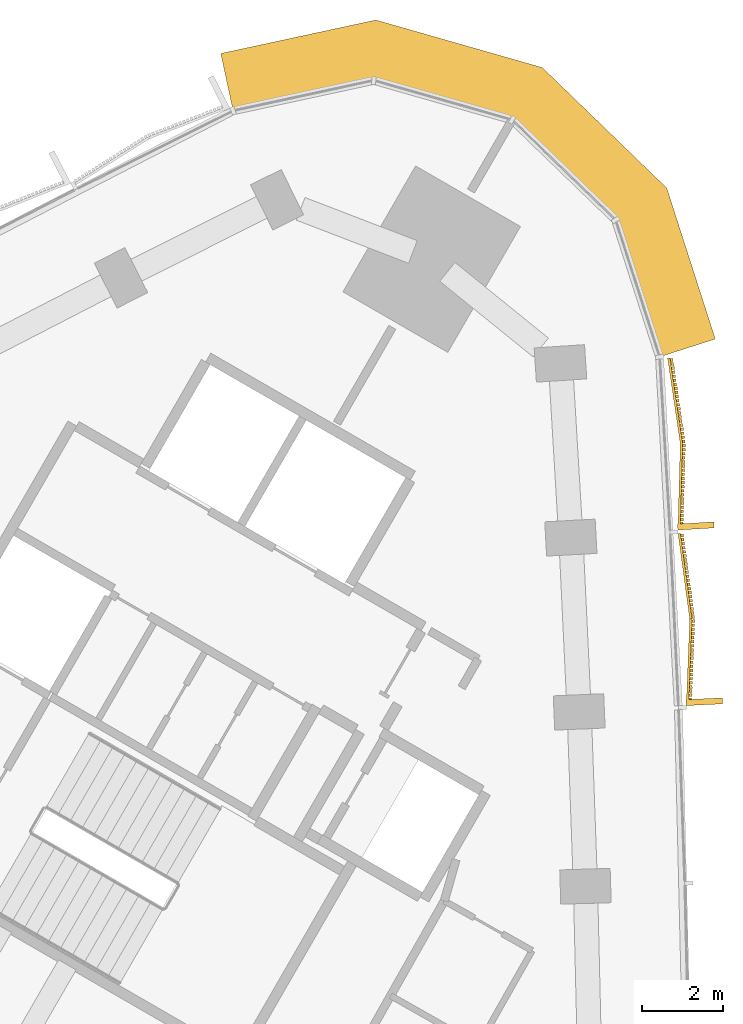
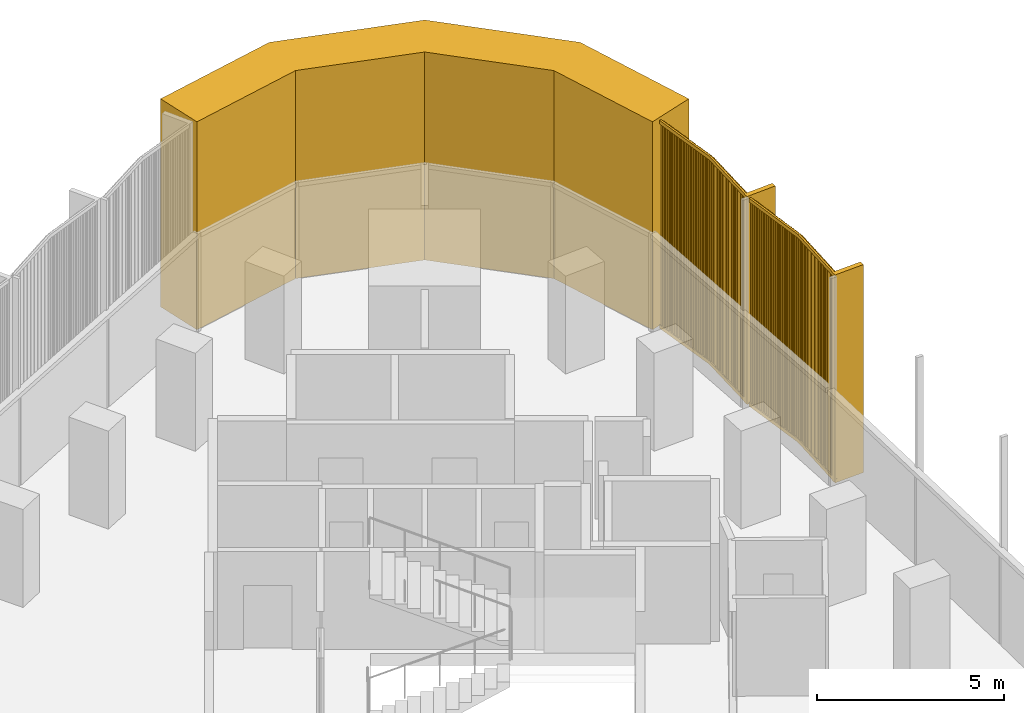
# One storey, part 14 of 14: 3 coverings.
"""IFC4 building model written with IfcOpenShell, lengths in metres."""

import ifcopenshell
import ifcopenshell.guid

model = None  # the IFC model being written
_history = None  # IfcOwnerHistory: only IFC2X3 demands one
_inside = {}  # id of a spatial element -> (the spatial element, [elements in it])
_under = {}  # id of a project, library or spatial element -> (it, [spatial elements below it])
_declared = {}  # id of a project -> (the project, [libraries it declares])
_typed = {}  # id of a type object -> (the type object, [elements of that type])
_made_of = {}  # id of a material, layer set ... -> (it, [elements and type objects made of it])


def new_model(schema):
    """Start an empty IFC model of exactly this schema.

    Asked for "IFC4X3", IfcOpenShell would pick the latest addendum, in which some entities
    have other attributes; the version numbers below select the first issue.
    IFC2X3 requires an IfcOwnerHistory on every rooted entity: one is made here for all.
    """
    global model, _history
    if schema == "IFC4X3":
        model = ifcopenshell.file(schema_version=(4, 3, 0, 0))
    else:
        model = ifcopenshell.file(schema=schema)
    _inside.clear()
    _under.clear()
    _declared.clear()
    _typed.clear()
    _made_of.clear()
    _history = None
    if model.schema == "IFC2X3":
        org = make("IfcOrganization", Name="unknown")
        user = make(
            "IfcPersonAndOrganization",
            ThePerson=make("IfcPerson", FamilyName="unknown"),
            TheOrganization=org,
        )
        app = make(
            "IfcApplication",
            ApplicationDeveloper=org,
            Version="unknown",
            ApplicationFullName="unknown",
            ApplicationIdentifier="unknown",
        )
        _history = make(
            "IfcOwnerHistory",
            OwningUser=user,
            OwningApplication=app,
            ChangeAction="ADDED",
            CreationDate=0,
        )
    return model


def make(cls, **values):
    """One entity of the class cls with the attributes given. An attribute that is None is left unset."""
    return model.create_entity(
        cls, **{name: value for name, value in values.items() if value is not None}
    )


def rooted(cls, **values):
    """An entity with a GlobalId (a new one), such as an element, a storey or a relation."""
    return make(cls, GlobalId=ifcopenshell.guid.new(), OwnerHistory=_history, **values)


def si_unit(unit_type, name, prefix=None):
    """IfcSIUnit, for example si_unit("LENGTHUNIT", "METRE", prefix="MILLI")."""
    return make("IfcSIUnit", UnitType=unit_type, Prefix=prefix, Name=name)


def assignment(units):
    """IfcUnitAssignment: the units of a project."""
    return None if units is None else make("IfcUnitAssignment", Units=units)


def point(xyz):
    """IfcCartesianPoint."""
    return None if xyz is None else make("IfcCartesianPoint", Coordinates=xyz)


def direction(xyz):
    """IfcDirection."""
    return None if xyz is None else make("IfcDirection", DirectionRatios=xyz)


def frame(location, z_axis=None, x_axis=None):
    """IfcAxis2Placement3D, a coordinate frame: its origin and axes. An axis left out is left unset."""
    return make(
        "IfcAxis2Placement3D",
        Location=point(location),
        Axis=direction(z_axis),
        RefDirection=direction(x_axis),
    )


def frame_2d(location, x_axis=None):
    """IfcAxis2Placement2D, a coordinate frame in the plane: its origin and x axis."""
    return make(
        "IfcAxis2Placement2D", Location=point(location), RefDirection=direction(x_axis)
    )


def origin():
    """The frame at (0, 0, 0) with its axes left unset."""
    return frame((0.0, 0.0, 0.0))


def place(relative_to, where):
    """IfcLocalPlacement: puts the frame where relative to a parent placement (None: the world)."""
    return make(
        "IfcLocalPlacement", PlacementRelTo=relative_to, RelativePlacement=where
    )


def context(
    kind, dimensions, precision=None, world=None, true_north=None, identifier=None
):
    """IfcGeometricRepresentationContext, for example the 3D "Model" context."""
    return make(
        "IfcGeometricRepresentationContext",
        ContextIdentifier=identifier,
        ContextType=kind,
        CoordinateSpaceDimension=dimensions,
        Precision=precision,
        WorldCoordinateSystem=world,
        TrueNorth=true_north,
    )


def subcontext(parent, identifier, kind, view, scale=None):
    """IfcGeometricRepresentationSubContext, for example "Body" below "Model"."""
    return make(
        "IfcGeometricRepresentationSubContext",
        ContextIdentifier=identifier,
        ContextType=kind,
        ParentContext=parent,
        TargetScale=scale,
        TargetView=view,
    )


def project(units=None, contexts=None):
    """IfcProject with its units and contexts."""
    return rooted(
        "IfcProject",
        Name="project",
        RepresentationContexts=contexts,
        UnitsInContext=assignment(units),
    )


def spatial(cls, under=None, at=None, **own):
    """A site, building, storey or space (cls), placed at a placement, below another one or the project."""
    s = rooted(cls, ObjectPlacement=at, **own)
    if under is not None:
        _under.setdefault(under.id(), (under, []))[1].append(s)
    return s


def polyline(points):
    """IfcPolyline through the points."""
    return make("IfcPolyline", Points=[point(p) for p in points])


def profile(cls, at=None, kind="AREA", **sizes):
    """A parametric profile (cls). Its sizes go by their IFC names, for example OverallWidth=200.0."""
    return make(cls, ProfileType=kind, Position=at, **sizes)


def rectangle(**sizes):
    """IfcRectangleProfileDef."""
    return profile("IfcRectangleProfileDef", **sizes)


def outline(outer, holes=None, kind="AREA"):
    """IfcArbitraryClosedProfileDef: a profile drawn as a closed curve; with holes, ...WithVoids."""
    if holes is None:
        return make("IfcArbitraryClosedProfileDef", ProfileType=kind, OuterCurve=outer)
    return make(
        "IfcArbitraryProfileDefWithVoids",
        ProfileType=kind,
        OuterCurve=outer,
        InnerCurves=holes,
    )


def extrude(swept, where, along, depth):
    """IfcExtrudedAreaSolid: the profile swept, set in the frame where, extruded along a direction by depth."""
    return make(
        "IfcExtrudedAreaSolid",
        SweptArea=swept,
        Position=where,
        ExtrudedDirection=direction(along),
        Depth=depth,
    )


def shape(context_of_items, identifier, shape_type, items):
    """IfcShapeRepresentation: the items that make up one representation, for example the "Body"."""
    return make(
        "IfcShapeRepresentation",
        ContextOfItems=context_of_items,
        RepresentationIdentifier=identifier,
        RepresentationType=shape_type,
        Items=items,
    )


def source(mapping_origin, context_of_items, identifier, shape_type, items):
    """IfcRepresentationMap: a shape defined once, which mapped items show again and again."""
    return make(
        "IfcRepresentationMap",
        MappingOrigin=mapping_origin,
        MappedRepresentation=shape(context_of_items, identifier, shape_type, items),
    )


def transform(
    local_origin,
    x_axis=None,
    y_axis=None,
    z_axis=None,
    scale=None,
    scale2=None,
    scale3=None,
    uniform=True,
):
    """IfcCartesianTransformationOperator3D, or its non-uniform kind. x_axis, y_axis, z_axis: its Axis1, 2, 3."""
    if uniform:
        return make(
            "IfcCartesianTransformationOperator3D",
            Axis1=direction(x_axis),
            Axis2=direction(y_axis),
            LocalOrigin=point(local_origin),
            Scale=scale,
            Axis3=direction(z_axis),
        )
    return make(
        "IfcCartesianTransformationOperator3DnonUniform",
        Axis1=direction(x_axis),
        Axis2=direction(y_axis),
        LocalOrigin=point(local_origin),
        Scale=scale,
        Axis3=direction(z_axis),
        Scale2=scale2,
        Scale3=scale3,
    )


def mapped(mapping_source, mapping_target):
    """IfcMappedItem: shows the shape of a source again, moved by a transform."""
    return make(
        "IfcMappedItem", MappingSource=mapping_source, MappingTarget=mapping_target
    )


def material(Name=None, Category=None):
    """IfcMaterial."""
    return make("IfcMaterial", Name=Name, Category=Category)


def layer(
    of_material, thickness, ventilated=None, Name=None, Category=None, Priority=None
):
    """IfcMaterialLayer: one layer of a wall or slab, of a material (None: an air gap)."""
    return make(
        "IfcMaterialLayer",
        Material=of_material,
        LayerThickness=thickness,
        IsVentilated=ventilated,
        Name=Name,
        Category=Category,
        Priority=Priority,
    )


def layer_set(layers, Name=None):
    """IfcMaterialLayerSet."""
    return make("IfcMaterialLayerSet", MaterialLayers=layers, LayerSetName=Name)


def made_of(thing, what):
    """Note that an element or type object is made of a material, layer set ...; save() writes the relation."""
    if what is not None:
        _made_of.setdefault(what.id(), (what, []))[1].append(thing)
    return thing


def type_object(cls, material=None, **own):
    """A type object (cls), such as IfcWallType, which elements share."""
    return made_of(rooted(cls, **own), material)


def element(
    cls,
    number,
    at=None,
    inside=None,
    cuts=None,
    type_object=None,
    material=None,
    context=None,
    identifier="Body",
    shape_type=None,
    held_by="IfcProductDefinitionShape",
    body=None,
    shapes=None,
    **own,
):
    """One element of the class cls, such as IfcWall. Its Tag is "e" and its number.

    at: its placement. inside: the storey or other place that contains it. cuts: it is an
    opening in that element (IfcRelVoidsElement). A single representation is given by context,
    identifier, shape_type and body (its items); several are given by shapes. held_by: the class
    of the entity that holds the representations. save() writes the other relations.
    """
    e = rooted(cls, Tag="e%d" % number, ObjectPlacement=at, **own)
    if body is not None:
        shapes = [shape(context, identifier, shape_type, body)]
    if shapes is not None:
        e.Representation = make(held_by, Representations=shapes)
    if inside is not None:
        _inside.setdefault(inside.id(), (inside, []))[1].append(e)
    if cuts is not None:
        rooted(
            "IfcRelVoidsElement", RelatingBuildingElement=cuts, RelatedOpeningElement=e
        )
    if type_object is not None:
        _typed.setdefault(type_object.id(), (type_object, []))[1].append(e)
    return made_of(e, material)


def aggregate(whole, parts):
    """IfcRelAggregates: a whole, such as a stair, and the parts it consists of."""
    return rooted("IfcRelAggregates", RelatingObject=whole, RelatedObjects=parts)


def save(model, path):
    """Write the relations noted so far, then the file.

    IfcRelAggregates (storeys below a building ...), IfcRelContainedInSpatialStructure (elements
    in a storey), IfcRelDefinesByType, IfcRelAssociatesMaterial and IfcRelDeclares: one each for
    every whole, place, type object, material and project.
    """
    for whole, parts in _under.values():
        aggregate(whole, parts)
    for where, things in _inside.values():
        rooted(
            "IfcRelContainedInSpatialStructure",
            RelatedElements=things,
            RelatingStructure=where,
        )
    for kind, things in _typed.values():
        rooted("IfcRelDefinesByType", RelatedObjects=things, RelatingType=kind)
    for what, things in _made_of.values():
        rooted("IfcRelAssociatesMaterial", RelatedObjects=things, RelatingMaterial=what)
    for by, libraries in _declared.values():
        rooted("IfcRelDeclares", RelatingContext=by, RelatedDefinitions=libraries)
    model.write(path)


model = new_model("IFC4")

# Units and contexts
model_context = context("Model", 3, precision=1e-05, world=origin(), true_north=direction((0.0, 1.0)))
body_context = subcontext(model_context, "Body", "Model", "MODEL_VIEW")
ifc_project = project(units=[si_unit("LENGTHUNIT", "METRE"), si_unit("AREAUNIT", "SQUARE_METRE"), si_unit("VOLUMEUNIT", "CUBIC_METRE"), si_unit("PLANEANGLEUNIT", "RADIAN"), si_unit("MASSUNIT", "GRAM", prefix="KILO")], contexts=[model_context])

# Site, building, storey
site_placement = place(None, origin())
site = spatial("IfcSite", under=ifc_project, at=site_placement, CompositionType="ELEMENT")
building_placement = place(site_placement, origin())
building = spatial("IfcBuilding", under=site, at=building_placement, Name="Tamra Quay Hotel Tower", CompositionType="ELEMENT")
storey_placement = place(building_placement, frame((0.0, 0.0, 150.39990234375)))
storey = spatial("IfcBuildingStorey", under=building, at=storey_placement, Name="L37", CompositionType="ELEMENT", Elevation=150.39990234375)

# Coverings
ifc_material_1 = material(Name="Precast concrete M60 terracotta-coloured", Category="masonry")
ifc_layer = layer(ifc_material_1, 1.449951171875)
ifc_layer_set = layer_set([ifc_layer], Name="CORNER PIER PANEL")
covering_type_1 = type_object("IfcCoveringType", Name="CORNER PIER PANEL", PredefinedType="CLADDING", material=ifc_layer_set)
covering_placement = place(storey_placement, origin())
element("IfcCovering", 1, at=covering_placement, inside=storey, type_object=covering_type_1, Name="Corner pier L37.east", PredefinedType="CLADDING", context=body_context, shape_type="SweptSolid", body=[
    extrude(outline(polyline([(20.852294921875, 23.918212890625), (22.232666015625, 24.36181640625), (21.031005859375, 28.1015625), (17.947509765625, 31.085693359375), (13.821044921875, 32.26416015625), (9.981689453125, 31.43505859375), (10.28759765625, 30.017578125), (13.772216796875, 30.770263671875), (17.199951171875, 29.791259765625), (19.76171875, 27.31201171875), (20.852294921875, 23.918212890625)])), origin(), (0.0, 0.0, 1.0), 6.800048828125),
])
ifc_material_2 = material(Name="Terracotta baguette extruded", Category="masonry")
covering_type_2 = type_object("IfcCoveringType", Name="BAGUETTE SCREEN E-V H6800", PredefinedType="USERDEFINED", material=ifc_material_2)
shared_shape = source(origin(), body_context, "Body", "SweptSolid", [
    extrude(rectangle(XDim=2.140625, YDim=0.06005859375, at=frame_2d((1.0703125, 0.030029296875))), frame((-2.1376953125, -0.057861328125, -0.1201171875), z_axis=(0.0, 0.0, 1.0), x_axis=(0.996194698092, -0.087155742748, 0.0)), (0.0, 0.0, 1.0), 0.1201171875),
    extrude(rectangle(XDim=2.140625, YDim=0.06005859375, at=frame_2d((1.0703125, 0.030029296875))), frame((-2.1376953125, -0.057861328125, -6.800048828125), z_axis=(0.0, 0.0, 1.0), x_axis=(0.996194698092, -0.087155742748, 0.0)), (0.0, 0.0, 1.0), 0.1201171875),
    extrude(rectangle(XDim=0.070068359375, YDim=0.10009765625, at=frame_2d((0.03515625, 0.050048828125))), frame((-2.11669921875, -0.13232421875, -6.739990234375)), (0.0, 0.0, 1.0), 6.679931640625),
    extrude(rectangle(XDim=0.070068359375, YDim=0.10009765625, at=frame_2d((0.03515625, 0.050048828125))), frame((-2.01513671875, -0.141357421875, -6.739990234375)), (0.0, 0.0, 1.0), 6.679931640625),
    extrude(rectangle(XDim=0.070068359375, YDim=0.10009765625, at=frame_2d((0.03515625, 0.050048828125))), frame((-1.91357421875, -0.150146484375, -6.739990234375)), (0.0, 0.0, 1.0), 6.679931640625),
    extrude(rectangle(XDim=0.070068359375, YDim=0.10009765625, at=frame_2d((0.03515625, 0.050048828125))), frame((-1.81201171875, -0.1591796875, -6.739990234375)), (0.0, 0.0, 1.0), 6.679931640625),
    extrude(rectangle(XDim=0.070068359375, YDim=0.10009765625, at=frame_2d((0.03515625, 0.050048828125))), frame((-1.71044921875, -0.16796875, -6.739990234375)), (0.0, 0.0, 1.0), 6.679931640625),
    extrude(rectangle(XDim=0.070068359375, YDim=0.10009765625, at=frame_2d((0.03515625, 0.050048828125))), frame((-1.60888671875, -0.1767578125, -6.739990234375)), (0.0, 0.0, 1.0), 6.679931640625),
    extrude(rectangle(XDim=0.070068359375, YDim=0.10009765625, at=frame_2d((0.03515625, 0.050048828125))), frame((-1.50732421875, -0.185791015625, -6.739990234375)), (0.0, 0.0, 1.0), 6.679931640625),
    extrude(rectangle(XDim=0.070068359375, YDim=0.10009765625, at=frame_2d((0.03515625, 0.050048828125))), frame((-1.406005859375, -0.194580078125, -6.739990234375)), (0.0, 0.0, 1.0), 6.679931640625),
    extrude(rectangle(XDim=0.070068359375, YDim=0.10009765625, at=frame_2d((0.03515625, 0.050048828125))), frame((-1.304443359375, -0.20361328125, -6.739990234375)), (0.0, 0.0, 1.0), 6.679931640625),
    extrude(rectangle(XDim=0.070068359375, YDim=0.10009765625, at=frame_2d((0.03515625, 0.050048828125))), frame((-1.202880859375, -0.21240234375, -6.739990234375)), (0.0, 0.0, 1.0), 6.679931640625),
    extrude(rectangle(XDim=0.070068359375, YDim=0.10009765625, at=frame_2d((0.03515625, 0.050048828125))), frame((-1.101318359375, -0.22119140625, -6.739990234375)), (0.0, 0.0, 1.0), 6.679931640625),
    extrude(rectangle(XDim=0.070068359375, YDim=0.10009765625, at=frame_2d((0.03515625, 0.050048828125))), frame((-0.999755859375, -0.230224609375, -6.739990234375)), (0.0, 0.0, 1.0), 6.679931640625),
    extrude(rectangle(XDim=0.070068359375, YDim=0.10009765625, at=frame_2d((0.03515625, 0.050048828125))), frame((-0.898193359375, -0.239013671875, -6.739990234375)), (0.0, 0.0, 1.0), 6.679931640625),
    extrude(rectangle(XDim=0.070068359375, YDim=0.10009765625, at=frame_2d((0.03515625, 0.050048828125))), frame((-0.796630859375, -0.248046875, -6.739990234375)), (0.0, 0.0, 1.0), 6.679931640625),
    extrude(rectangle(XDim=0.070068359375, YDim=0.10009765625, at=frame_2d((0.03515625, 0.050048828125))), frame((-0.695068359375, -0.2568359375, -6.739990234375)), (0.0, 0.0, 1.0), 6.679931640625),
    extrude(rectangle(XDim=0.070068359375, YDim=0.10009765625, at=frame_2d((0.03515625, 0.050048828125))), frame((-0.593505859375, -0.265625, -6.739990234375)), (0.0, 0.0, 1.0), 6.679931640625),
    extrude(rectangle(XDim=0.070068359375, YDim=0.10009765625, at=frame_2d((0.03515625, 0.050048828125))), frame((-0.491943359375, -0.274658203125, -6.739990234375)), (0.0, 0.0, 1.0), 6.679931640625),
    extrude(rectangle(XDim=0.070068359375, YDim=0.10009765625, at=frame_2d((0.03515625, 0.050048828125))), frame((-0.390380859375, -0.283447265625, -6.739990234375)), (0.0, 0.0, 1.0), 6.679931640625),
    extrude(rectangle(XDim=0.070068359375, YDim=0.10009765625, at=frame_2d((0.03515625, 0.050048828125))), frame((-0.288818359375, -0.29248046875, -6.739990234375)), (0.0, 0.0, 1.0), 6.679931640625),
    extrude(rectangle(XDim=0.070068359375, YDim=0.10009765625, at=frame_2d((0.03515625, 0.050048828125))), frame((-0.187255859375, -0.30126953125, -6.739990234375)), (0.0, 0.0, 1.0), 6.679931640625),
    extrude(rectangle(XDim=0.070068359375, YDim=0.10009765625, at=frame_2d((0.03515625, 0.050048828125))), frame((-0.085693359375, -0.31005859375, -6.739990234375)), (0.0, 0.0, 1.0), 6.679931640625),
    extrude(rectangle(XDim=2.140625, YDim=0.06005859375, at=frame_2d((1.0703125, 0.030029296875))), frame((0.005126953125, -0.244384765625, -0.1201171875), z_axis=(0.0, 0.0, 1.0), x_axis=(0.996194698092, 0.087155742748, 0.0)), (0.0, 0.0, 1.0), 0.1201171875),
    extrude(rectangle(XDim=2.140625, YDim=0.06005859375, at=frame_2d((1.0703125, 0.030029296875))), frame((0.005126953125, -0.244384765625, -6.800048828125), z_axis=(0.0, 0.0, 1.0), x_axis=(0.996194698092, 0.087155742748, 0.0)), (0.0, 0.0, 1.0), 0.1201171875),
    extrude(rectangle(XDim=0.070068359375, YDim=0.10009765625, at=frame_2d((0.03515625, 0.050048828125))), frame((0.015869140625, -0.31005859375, -6.739990234375)), (0.0, 0.0, 1.0), 6.679931640625),
    extrude(rectangle(XDim=0.070068359375, YDim=0.10009765625, at=frame_2d((0.03515625, 0.050048828125))), frame((0.117431640625, -0.30126953125, -6.739990234375)), (0.0, 0.0, 1.0), 6.679931640625),
    extrude(rectangle(XDim=0.070068359375, YDim=0.10009765625, at=frame_2d((0.03515625, 0.050048828125))), frame((0.21875, -0.29248046875, -6.739990234375)), (0.0, 0.0, 1.0), 6.679931640625),
    extrude(rectangle(XDim=0.070068359375, YDim=0.10009765625, at=frame_2d((0.03515625, 0.050048828125))), frame((0.3203125, -0.283447265625, -6.739990234375)), (0.0, 0.0, 1.0), 6.679931640625),
    extrude(rectangle(XDim=0.070068359375, YDim=0.10009765625, at=frame_2d((0.03515625, 0.050048828125))), frame((0.421875, -0.274658203125, -6.739990234375)), (0.0, 0.0, 1.0), 6.679931640625),
    extrude(rectangle(XDim=0.070068359375, YDim=0.10009765625, at=frame_2d((0.03515625, 0.050048828125))), frame((0.5234375, -0.265625, -6.739990234375)), (0.0, 0.0, 1.0), 6.679931640625),
    extrude(rectangle(XDim=0.070068359375, YDim=0.10009765625, at=frame_2d((0.03515625, 0.050048828125))), frame((0.625, -0.2568359375, -6.739990234375)), (0.0, 0.0, 1.0), 6.679931640625),
    extrude(rectangle(XDim=0.070068359375, YDim=0.10009765625, at=frame_2d((0.03515625, 0.050048828125))), frame((0.7265625, -0.248046875, -6.739990234375)), (0.0, 0.0, 1.0), 6.679931640625),
    extrude(rectangle(XDim=0.070068359375, YDim=0.10009765625, at=frame_2d((0.03515625, 0.050048828125))), frame((0.828125, -0.239013671875, -6.739990234375)), (0.0, 0.0, 1.0), 6.679931640625),
    extrude(rectangle(XDim=0.070068359375, YDim=0.10009765625, at=frame_2d((0.03515625, 0.050048828125))), frame((0.9296875, -0.230224609375, -6.739990234375)), (0.0, 0.0, 1.0), 6.679931640625),
    extrude(rectangle(XDim=0.070068359375, YDim=0.10009765625, at=frame_2d((0.03515625, 0.050048828125))), frame((1.03125, -0.22119140625, -6.739990234375)), (0.0, 0.0, 1.0), 6.679931640625),
    extrude(rectangle(XDim=0.070068359375, YDim=0.10009765625, at=frame_2d((0.03515625, 0.050048828125))), frame((1.1328125, -0.21240234375, -6.739990234375)), (0.0, 0.0, 1.0), 6.679931640625),
    extrude(rectangle(XDim=0.070068359375, YDim=0.10009765625, at=frame_2d((0.03515625, 0.050048828125))), frame((1.234375, -0.20361328125, -6.739990234375)), (0.0, 0.0, 1.0), 6.679931640625),
    extrude(rectangle(XDim=0.070068359375, YDim=0.10009765625, at=frame_2d((0.03515625, 0.050048828125))), frame((1.3359375, -0.194580078125, -6.739990234375)), (0.0, 0.0, 1.0), 6.679931640625),
    extrude(rectangle(XDim=0.070068359375, YDim=0.10009765625, at=frame_2d((0.03515625, 0.050048828125))), frame((1.4375, -0.185791015625, -6.739990234375)), (0.0, 0.0, 1.0), 6.679931640625),
    extrude(rectangle(XDim=0.070068359375, YDim=0.10009765625, at=frame_2d((0.03515625, 0.050048828125))), frame((1.5390625, -0.1767578125, -6.739990234375)), (0.0, 0.0, 1.0), 6.679931640625),
    extrude(rectangle(XDim=0.070068359375, YDim=0.10009765625, at=frame_2d((0.03515625, 0.050048828125))), frame((1.640625, -0.16796875, -6.739990234375)), (0.0, 0.0, 1.0), 6.679931640625),
    extrude(rectangle(XDim=0.070068359375, YDim=0.10009765625, at=frame_2d((0.03515625, 0.050048828125))), frame((1.7421875, -0.1591796875, -6.739990234375)), (0.0, 0.0, 1.0), 6.679931640625),
    extrude(rectangle(XDim=0.070068359375, YDim=0.10009765625, at=frame_2d((0.03515625, 0.050048828125))), frame((1.84375, -0.150146484375, -6.739990234375)), (0.0, 0.0, 1.0), 6.679931640625),
    extrude(rectangle(XDim=0.070068359375, YDim=0.10009765625, at=frame_2d((0.03515625, 0.050048828125))), frame((1.945068359375, -0.141357421875, -6.739990234375)), (0.0, 0.0, 1.0), 6.679931640625),
    extrude(rectangle(XDim=0.070068359375, YDim=0.10009765625, at=frame_2d((0.03515625, 0.050048828125))), frame((2.046630859375, -0.13232421875, -6.739990234375)), (0.0, 0.0, 1.0), 6.679931640625),
    extrude(rectangle(XDim=0.14990234375, YDim=0.902099609375, at=frame_2d((0.074951171875, 0.451171875))), frame((-2.132568359375, -0.89990234375, -6.800048828125)), (0.0, 0.0, 1.0), 6.800048828125),
])
for number, where, z_axis, x_axis, name in (
    (2, (21.413330078125, 17.41064453125, 6.800048828125), (0.0, 0.0, 1.0), (-0.047747439326, 0.998859440581, 0.0), "Baguette screen L37.E.f09"),
    (3, (21.1796875, 21.758056640625, 6.800048828125), (0.0, 0.0, 1.0), (-0.059641629271, 0.998219853568, 0.0), "Baguette screen L37.E.f10"),
):
    element("IfcCovering", number, at=place(storey_placement, frame(where, z_axis=z_axis, x_axis=x_axis)), inside=storey, type_object=covering_type_2, Name=name, ObjectType="BAGUETTE SCREEN", PredefinedType="USERDEFINED", context=body_context, shape_type="MappedRepresentation", body=[
        mapped(shared_shape, transform((0.0, 0.0, 0.0), scale=1.0)),
    ])

save(model, "model.ifc")
